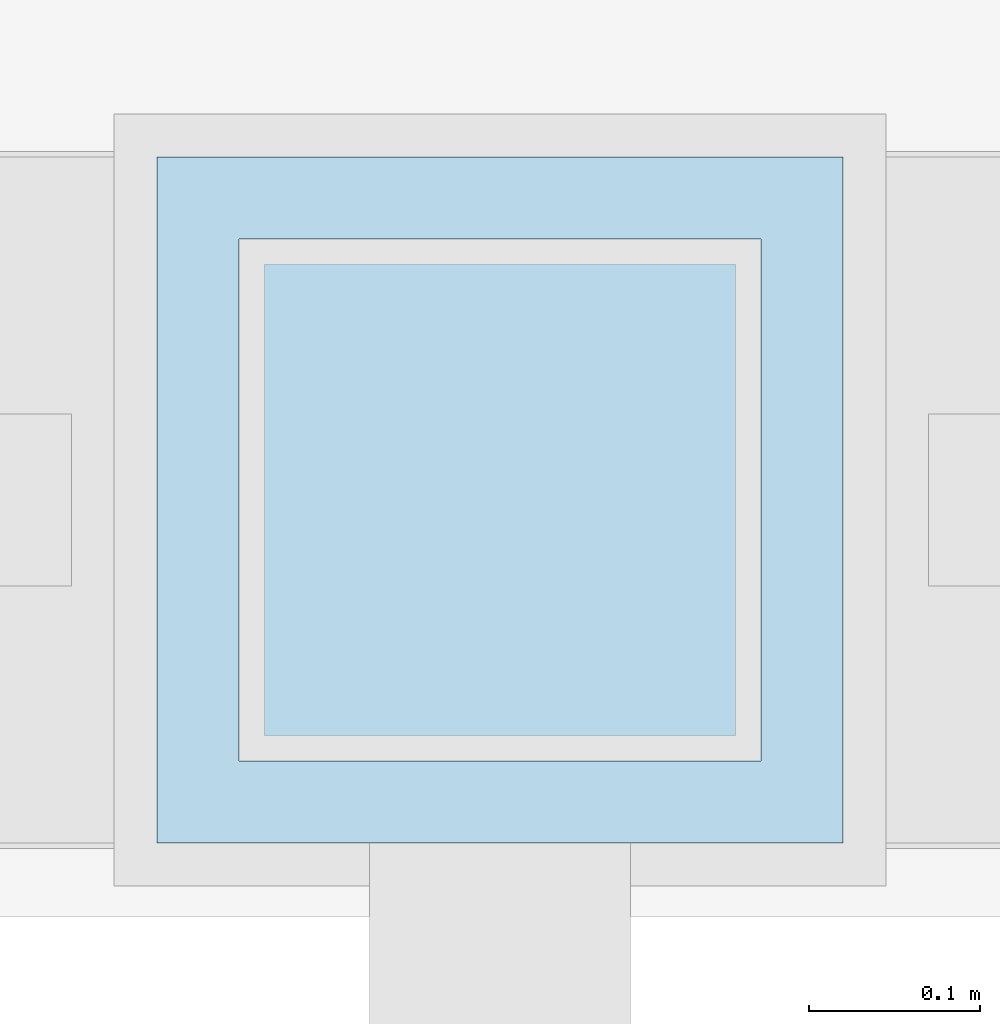
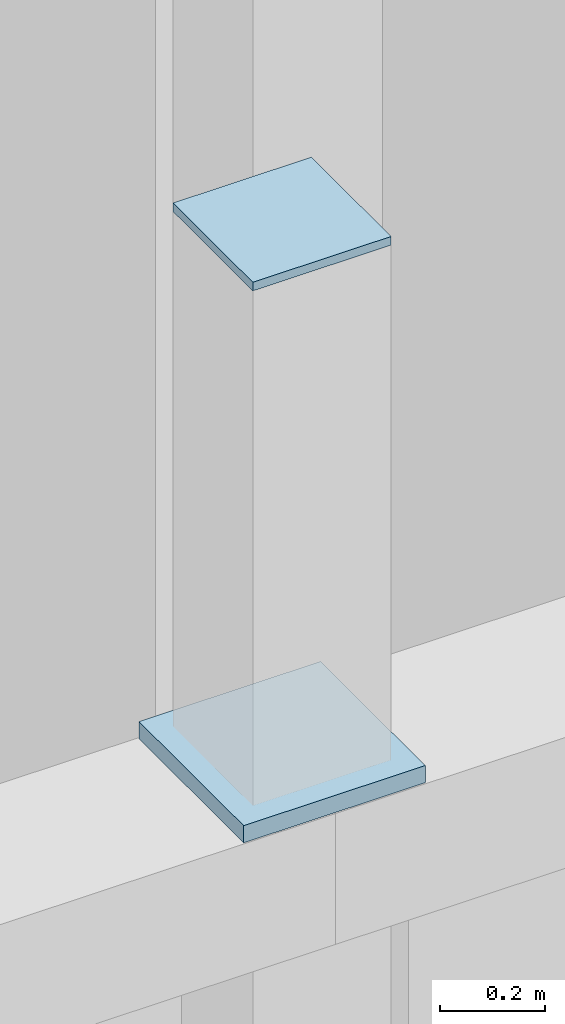
# One storey, part 8 of 13: 2 plates.
"""IFC4 building model written with IfcOpenShell, lengths in metres."""

from ifc_helpers import new_model, si_unit, direction, frame, origin, origin_2d, place, context, subcontext, project, spatial, rectangle, extrude, material, layer, layer_set, type_object, element, save


model = new_model("IFC4")

# Units and contexts
model_context = context("Model", 3, precision=1e-05, world=origin(), true_north=direction((0.0, 1.0)))
body_context = subcontext(model_context, "Body", "Model", "MODEL_VIEW")
ifc_project = project(units=[si_unit("LENGTHUNIT", "METRE"), si_unit("AREAUNIT", "SQUARE_METRE"), si_unit("VOLUMEUNIT", "CUBIC_METRE"), si_unit("PLANEANGLEUNIT", "RADIAN"), si_unit("MASSUNIT", "GRAM", prefix="KILO")], contexts=[model_context])

# Site, building, storey
site_placement = place(None, origin())
site = spatial("IfcSite", under=ifc_project, at=site_placement, CompositionType="ELEMENT")
building_placement = place(site_placement, origin())
building = spatial("IfcBuilding", under=site, at=building_placement, Name="Firuza Gate Tower and Library", CompositionType="ELEMENT")
storey_placement = place(building_placement, frame((0.0, 0.0, 358.0)))
storey = spatial("IfcBuildingStorey", under=building, at=storey_placement, Name="Upper roof", CompositionType="ELEMENT", Elevation=358.0)

# Plates
ifc_material_1 = material(Name="Steel S355", Category="steel")
ifc_layer_1 = layer(ifc_material_1, 0.0400390625)
ifc_layer_set_1 = layer_set([ifc_layer_1], Name="Finial mast base plate")
plate_type_1 = type_object("IfcPlateType", Name="Finial mast base plate", PredefinedType="SHEET", material=ifc_layer_set_1)
plate_1_placement = place(storey_placement, frame((83.314208984375, 60.54248046875, 18.05859375), z_axis=(0.0, 0.0, 1.0), x_axis=(1.0, 0.0, 0.0)))
element("IfcPlate", 1, at=plate_1_placement, inside=storey, type_object=plate_type_1, Name="Finial mast base plate 7", PredefinedType="SHEET", context=body_context, shape_type="SweptSolid", body=[
    extrude(rectangle(XDim=0.39990234375, YDim=0.39990234375, at=origin_2d()), origin(), (0.0, 0.0, 1.0), 0.0400390625),
])
ifc_material_2 = material(Name="Steel S355", Category="steel")
ifc_layer_2 = layer(ifc_material_2, 0.02001953125)
ifc_layer_set_2 = layer_set([ifc_layer_2], Name="Finial mast cap plate")
plate_type_2 = type_object("IfcPlateType", Name="Finial mast cap plate", PredefinedType="SHEET", material=ifc_layer_set_2)
plate_2_placement = place(storey_placement, frame((83.314208984375, 60.54248046875, 19.298583984375), z_axis=(0.0, 0.0, 1.0), x_axis=(1.0, 0.0, 0.0)))
element("IfcPlate", 2, at=plate_2_placement, inside=storey, type_object=plate_type_2, Name="Finial mast cap plate 7", PredefinedType="SHEET", context=body_context, shape_type="SweptSolid", body=[
    extrude(rectangle(XDim=0.3046875, YDim=0.3046875, at=origin_2d()), origin(), (0.0, 0.0, 1.0), 0.02001953125),
])

save(model, "model.ifc")
